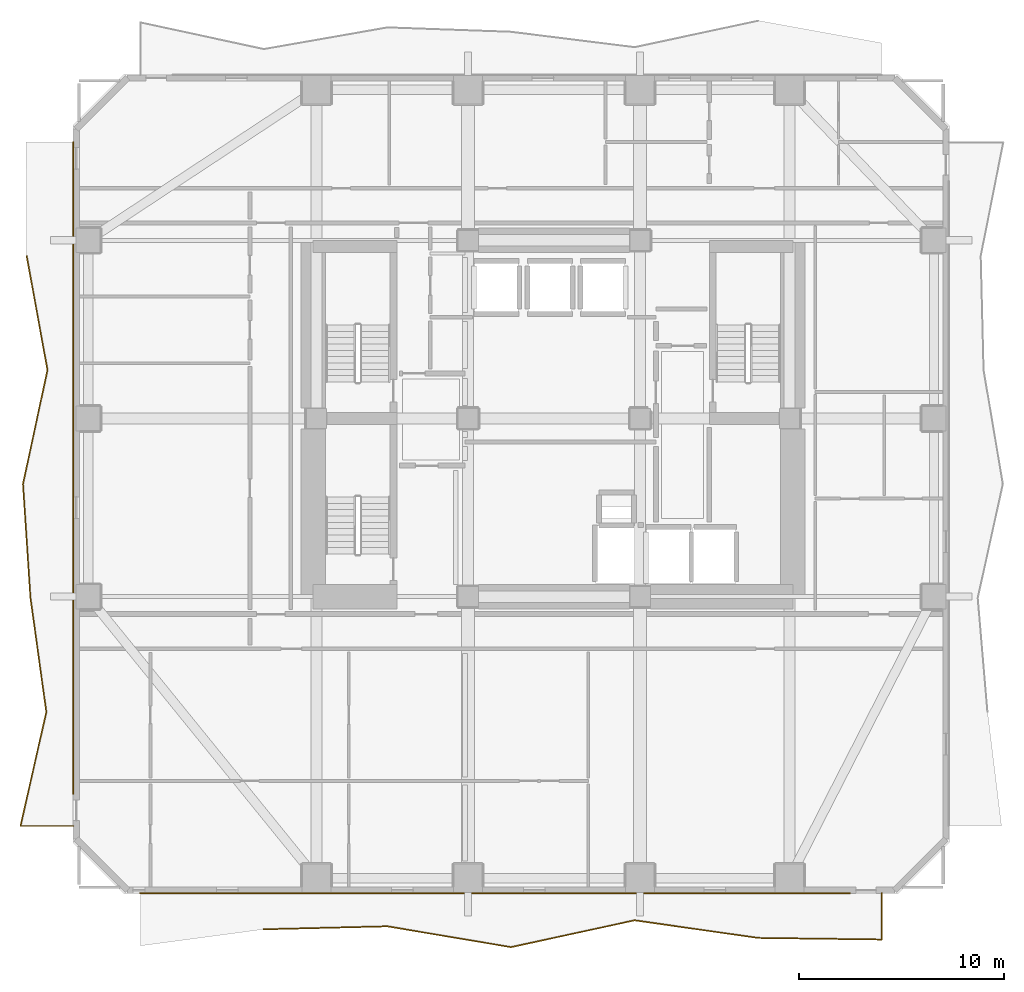
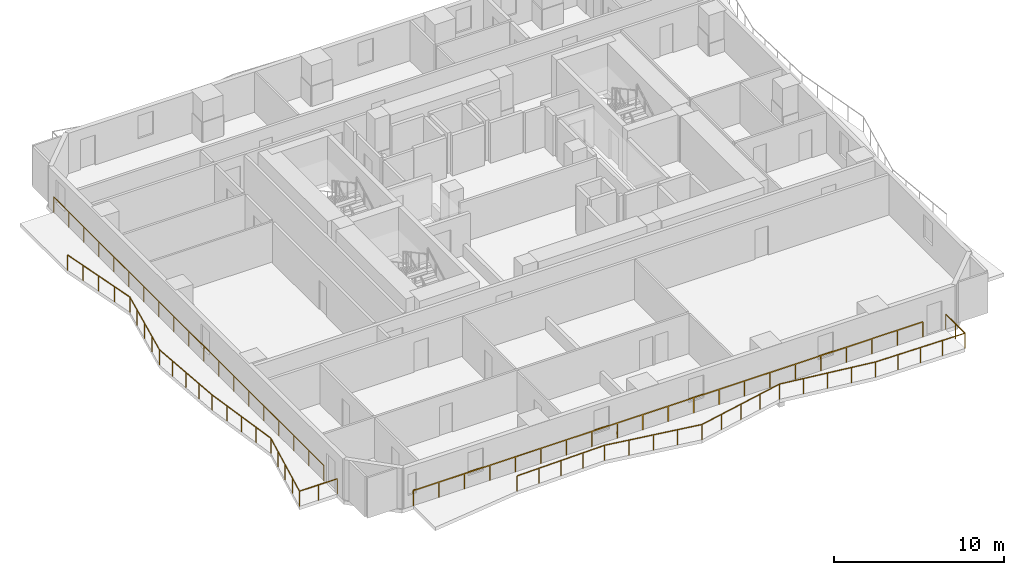
# One storey, part 7 of 10: 4 railings.
"""IFC4 building model written with IfcOpenShell, lengths in metres."""

import ifcopenshell
import ifcopenshell.guid

model = None  # the IFC model being written
_history = None  # IfcOwnerHistory: only IFC2X3 demands one
_inside = {}  # id of a spatial element -> (the spatial element, [elements in it])
_under = {}  # id of a project, library or spatial element -> (it, [spatial elements below it])
_declared = {}  # id of a project -> (the project, [libraries it declares])
_typed = {}  # id of a type object -> (the type object, [elements of that type])
_made_of = {}  # id of a material, layer set ... -> (it, [elements and type objects made of it])


def new_model(schema):
    """Start an empty IFC model of exactly this schema.

    Asked for "IFC4X3", IfcOpenShell would pick the latest addendum, in which some entities
    have other attributes; the version numbers below select the first issue.
    IFC2X3 requires an IfcOwnerHistory on every rooted entity: one is made here for all.
    """
    global model, _history
    if schema == "IFC4X3":
        model = ifcopenshell.file(schema_version=(4, 3, 0, 0))
    else:
        model = ifcopenshell.file(schema=schema)
    _inside.clear()
    _under.clear()
    _declared.clear()
    _typed.clear()
    _made_of.clear()
    _history = None
    if model.schema == "IFC2X3":
        org = make("IfcOrganization", Name="unknown")
        user = make(
            "IfcPersonAndOrganization",
            ThePerson=make("IfcPerson", FamilyName="unknown"),
            TheOrganization=org,
        )
        app = make(
            "IfcApplication",
            ApplicationDeveloper=org,
            Version="unknown",
            ApplicationFullName="unknown",
            ApplicationIdentifier="unknown",
        )
        _history = make(
            "IfcOwnerHistory",
            OwningUser=user,
            OwningApplication=app,
            ChangeAction="ADDED",
            CreationDate=0,
        )
    return model


def make(cls, **values):
    """One entity of the class cls with the attributes given. An attribute that is None is left unset."""
    return model.create_entity(
        cls, **{name: value for name, value in values.items() if value is not None}
    )


def rooted(cls, **values):
    """An entity with a GlobalId (a new one), such as an element, a storey or a relation."""
    return make(cls, GlobalId=ifcopenshell.guid.new(), OwnerHistory=_history, **values)


def si_unit(unit_type, name, prefix=None):
    """IfcSIUnit, for example si_unit("LENGTHUNIT", "METRE", prefix="MILLI")."""
    return make("IfcSIUnit", UnitType=unit_type, Prefix=prefix, Name=name)


def assignment(units):
    """IfcUnitAssignment: the units of a project."""
    return None if units is None else make("IfcUnitAssignment", Units=units)


def point(xyz):
    """IfcCartesianPoint."""
    return None if xyz is None else make("IfcCartesianPoint", Coordinates=xyz)


def direction(xyz):
    """IfcDirection."""
    return None if xyz is None else make("IfcDirection", DirectionRatios=xyz)


def frame(location, z_axis=None, x_axis=None):
    """IfcAxis2Placement3D, a coordinate frame: its origin and axes. An axis left out is left unset."""
    return make(
        "IfcAxis2Placement3D",
        Location=point(location),
        Axis=direction(z_axis),
        RefDirection=direction(x_axis),
    )


def frame_2d(location, x_axis=None):
    """IfcAxis2Placement2D, a coordinate frame in the plane: its origin and x axis."""
    return make(
        "IfcAxis2Placement2D", Location=point(location), RefDirection=direction(x_axis)
    )


def origin():
    """The frame at (0, 0, 0) with its axes left unset."""
    return frame((0.0, 0.0, 0.0))


def origin_2d():
    """The frame at (0, 0) in the plane with its x axis left unset."""
    return frame_2d((0.0, 0.0))


def place(relative_to, where):
    """IfcLocalPlacement: puts the frame where relative to a parent placement (None: the world)."""
    return make(
        "IfcLocalPlacement", PlacementRelTo=relative_to, RelativePlacement=where
    )


def context(
    kind, dimensions, precision=None, world=None, true_north=None, identifier=None
):
    """IfcGeometricRepresentationContext, for example the 3D "Model" context."""
    return make(
        "IfcGeometricRepresentationContext",
        ContextIdentifier=identifier,
        ContextType=kind,
        CoordinateSpaceDimension=dimensions,
        Precision=precision,
        WorldCoordinateSystem=world,
        TrueNorth=true_north,
    )


def subcontext(parent, identifier, kind, view, scale=None):
    """IfcGeometricRepresentationSubContext, for example "Body" below "Model"."""
    return make(
        "IfcGeometricRepresentationSubContext",
        ContextIdentifier=identifier,
        ContextType=kind,
        ParentContext=parent,
        TargetScale=scale,
        TargetView=view,
    )


def project(units=None, contexts=None):
    """IfcProject with its units and contexts."""
    return rooted(
        "IfcProject",
        Name="project",
        RepresentationContexts=contexts,
        UnitsInContext=assignment(units),
    )


def spatial(cls, under=None, at=None, **own):
    """A site, building, storey or space (cls), placed at a placement, below another one or the project."""
    s = rooted(cls, ObjectPlacement=at, **own)
    if under is not None:
        _under.setdefault(under.id(), (under, []))[1].append(s)
    return s


def profile(cls, at=None, kind="AREA", **sizes):
    """A parametric profile (cls). Its sizes go by their IFC names, for example OverallWidth=200.0."""
    return make(cls, ProfileType=kind, Position=at, **sizes)


def rectangle(**sizes):
    """IfcRectangleProfileDef."""
    return profile("IfcRectangleProfileDef", **sizes)


def extrude(swept, where, along, depth):
    """IfcExtrudedAreaSolid: the profile swept, set in the frame where, extruded along a direction by depth."""
    return make(
        "IfcExtrudedAreaSolid",
        SweptArea=swept,
        Position=where,
        ExtrudedDirection=direction(along),
        Depth=depth,
    )


def shape(context_of_items, identifier, shape_type, items):
    """IfcShapeRepresentation: the items that make up one representation, for example the "Body"."""
    return make(
        "IfcShapeRepresentation",
        ContextOfItems=context_of_items,
        RepresentationIdentifier=identifier,
        RepresentationType=shape_type,
        Items=items,
    )


def material(Name=None, Category=None):
    """IfcMaterial."""
    return make("IfcMaterial", Name=Name, Category=Category)


def made_of(thing, what):
    """Note that an element or type object is made of a material, layer set ...; save() writes the relation."""
    if what is not None:
        _made_of.setdefault(what.id(), (what, []))[1].append(thing)
    return thing


def type_object(cls, material=None, **own):
    """A type object (cls), such as IfcWallType, which elements share."""
    return made_of(rooted(cls, **own), material)


def element(
    cls,
    number,
    at=None,
    inside=None,
    cuts=None,
    type_object=None,
    material=None,
    context=None,
    identifier="Body",
    shape_type=None,
    held_by="IfcProductDefinitionShape",
    body=None,
    shapes=None,
    **own,
):
    """One element of the class cls, such as IfcWall. Its Tag is "e" and its number.

    at: its placement. inside: the storey or other place that contains it. cuts: it is an
    opening in that element (IfcRelVoidsElement). A single representation is given by context,
    identifier, shape_type and body (its items); several are given by shapes. held_by: the class
    of the entity that holds the representations. save() writes the other relations.
    """
    e = rooted(cls, Tag="e%d" % number, ObjectPlacement=at, **own)
    if body is not None:
        shapes = [shape(context, identifier, shape_type, body)]
    if shapes is not None:
        e.Representation = make(held_by, Representations=shapes)
    if inside is not None:
        _inside.setdefault(inside.id(), (inside, []))[1].append(e)
    if cuts is not None:
        rooted(
            "IfcRelVoidsElement", RelatingBuildingElement=cuts, RelatedOpeningElement=e
        )
    if type_object is not None:
        _typed.setdefault(type_object.id(), (type_object, []))[1].append(e)
    return made_of(e, material)


def aggregate(whole, parts):
    """IfcRelAggregates: a whole, such as a stair, and the parts it consists of."""
    return rooted("IfcRelAggregates", RelatingObject=whole, RelatedObjects=parts)


def save(model, path):
    """Write the relations noted so far, then the file.

    IfcRelAggregates (storeys below a building ...), IfcRelContainedInSpatialStructure (elements
    in a storey), IfcRelDefinesByType, IfcRelAssociatesMaterial and IfcRelDeclares: one each for
    every whole, place, type object, material and project.
    """
    for whole, parts in _under.values():
        aggregate(whole, parts)
    for where, things in _inside.values():
        rooted(
            "IfcRelContainedInSpatialStructure",
            RelatedElements=things,
            RelatingStructure=where,
        )
    for kind, things in _typed.values():
        rooted("IfcRelDefinesByType", RelatedObjects=things, RelatingType=kind)
    for what, things in _made_of.values():
        rooted("IfcRelAssociatesMaterial", RelatedObjects=things, RelatingMaterial=what)
    for by, libraries in _declared.values():
        rooted("IfcRelDeclares", RelatingContext=by, RelatedDefinitions=libraries)
    model.write(path)


model = new_model("IFC4")

# Units and contexts
model_context = context("Model", 3, precision=1e-05, world=origin(), true_north=direction((0.0, 1.0)))
body_context = subcontext(model_context, "Body", "Model", "MODEL_VIEW")
ifc_project = project(units=[si_unit("LENGTHUNIT", "METRE"), si_unit("AREAUNIT", "SQUARE_METRE"), si_unit("VOLUMEUNIT", "CUBIC_METRE"), si_unit("PLANEANGLEUNIT", "RADIAN"), si_unit("MASSUNIT", "GRAM", prefix="KILO")], contexts=[model_context])

# Site, building, storey
site_placement = place(None, origin())
site = spatial("IfcSite", under=ifc_project, at=site_placement, CompositionType="ELEMENT")
building_placement = place(site_placement, origin())
building = spatial("IfcBuilding", under=site, at=building_placement, Name="Solanera Arch Residences", CompositionType="ELEMENT")
storey_placement = place(building_placement, frame((0.0, 0.0, 38.60009765625)))
storey = spatial("IfcBuildingStorey", under=building, at=storey_placement, Name="L10", CompositionType="ELEMENT", Elevation=38.60009765625)

# Railings
ifc_material = material(Name="Steel S355 (ASTM A992 / A572 Grade 50)", Category="steel")
railing_type = type_object("IfcRailingType", Name="Balustrade Railing BL-1100", PredefinedType="BALUSTRADE", material=ifc_material)
railing_1_placement = place(storey_placement, frame((10.8330078125, 5.7529296875, 0.0)))
element("IfcRailing", 1, at=railing_1_placement, inside=storey, type_object=railing_type, Name="L10 S Balcony Balustrade 1", PredefinedType="BALUSTRADE", context=body_context, shape_type="SweptSolid", body=[
    extrude(rectangle(XDim=0.048095703125, YDim=0.048095703125, at=origin_2d()), frame((0.0, 0.0, 1.09619140625), z_axis=(0.999707409309, 0.024188753015, 0.0), x_axis=(-0.024188753015, 0.999707409309, 0.0)), (0.0, 0.0, 1.0), 6.03564453125),
    extrude(rectangle(XDim=0.048095703125, YDim=0.048095703125, at=origin_2d()), frame((6.033935546875, 0.14599609375, 1.09619140625), z_axis=(0.986091366624, -0.166204141556, 0.0), x_axis=(0.166204141556, 0.986091366624, 0.0)), (0.0, 0.0, 1.0), 6.1181640625),
    extrude(rectangle(XDim=0.048095703125, YDim=0.048095703125, at=origin_2d()), frame((12.06689453125, -0.870849609375, 1.09619140625), z_axis=(0.977194204928, 0.212347559099, 0.0), x_axis=(-0.212347559099, 0.977194204928, 0.0)), (0.0, 0.0, 1.0), 6.174072265625),
    extrude(rectangle(XDim=0.048095703125, YDim=0.048095703125, at=origin_2d()), frame((18.10009765625, 0.440185546875, 1.09619140625), z_axis=(0.989970311755, -0.141275552885, 0.0), x_axis=(0.141275552885, 0.989970311755, 0.0)), (0.0, 0.0, 1.0), 6.094970703125),
    extrude(rectangle(XDim=0.048095703125, YDim=0.048095703125, at=origin_2d()), frame((24.134033203125, -0.4208984375, 1.09619140625), z_axis=(0.999916163198, -0.012948612854, 0.0), x_axis=(0.012948612854, 0.999916163198, 0.0)), (0.0, 0.0, 1.0), 6.033447265625),
    extrude(rectangle(XDim=0.048095703125, YDim=0.048095703125, at=origin_2d()), frame((30.1669921875, -0.4990234375, 1.09619140625), z_axis=(0.0, 1.0, 0.0), x_axis=(-1.0, 0.0, 0.0)), (0.0, 0.0, 1.0), 2.26611328125),
    extrude(rectangle(XDim=0.0419921875, YDim=0.0419921875, at=origin_2d()), origin(), (0.0, 0.0, 1.0), 1.072021484375),
    extrude(rectangle(XDim=0.0419921875, YDim=0.0419921875, at=origin_2d()), frame((1.508544921875, 0.03662109375, 0.0)), (0.0, 0.0, 1.0), 1.072021484375),
    extrude(rectangle(XDim=0.0419921875, YDim=0.0419921875, at=origin_2d()), frame((3.01708984375, 0.072998046875, 0.0)), (0.0, 0.0, 1.0), 1.072021484375),
    extrude(rectangle(XDim=0.0419921875, YDim=0.0419921875, at=origin_2d()), frame((4.525390625, 0.109375, 0.0)), (0.0, 0.0, 1.0), 1.072021484375),
    extrude(rectangle(XDim=0.0419921875, YDim=0.0419921875, at=origin_2d()), frame((6.033935546875, 0.14599609375, 0.0)), (0.0, 0.0, 1.0), 1.072021484375),
    extrude(rectangle(XDim=0.0419921875, YDim=0.0419921875, at=origin_2d()), frame((7.542236328125, -0.108154296875, 0.0)), (0.0, 0.0, 1.0), 1.072021484375),
    extrude(rectangle(XDim=0.0419921875, YDim=0.0419921875, at=origin_2d()), frame((9.05029296875, -0.3623046875, 0.0)), (0.0, 0.0, 1.0), 1.072021484375),
    extrude(rectangle(XDim=0.0419921875, YDim=0.0419921875, at=origin_2d()), frame((10.55859375, -0.61669921875, 0.0)), (0.0, 0.0, 1.0), 1.072021484375),
    extrude(rectangle(XDim=0.0419921875, YDim=0.0419921875, at=origin_2d()), frame((12.06689453125, -0.870849609375, 0.0)), (0.0, 0.0, 1.0), 1.072021484375),
    extrude(rectangle(XDim=0.0419921875, YDim=0.0419921875, at=origin_2d()), frame((13.5751953125, -0.54296875, 0.0)), (0.0, 0.0, 1.0), 1.072021484375),
    extrude(rectangle(XDim=0.0419921875, YDim=0.0419921875, at=origin_2d()), frame((15.08349609375, -0.21533203125, 0.0)), (0.0, 0.0, 1.0), 1.072021484375),
    extrude(rectangle(XDim=0.0419921875, YDim=0.0419921875, at=origin_2d()), frame((16.591796875, 0.1123046875, 0.0)), (0.0, 0.0, 1.0), 1.072021484375),
    extrude(rectangle(XDim=0.0419921875, YDim=0.0419921875, at=origin_2d()), frame((18.10009765625, 0.440185546875, 0.0)), (0.0, 0.0, 1.0), 1.072021484375),
    extrude(rectangle(XDim=0.0419921875, YDim=0.0419921875, at=origin_2d()), frame((19.608642578125, 0.224853515625, 0.0)), (0.0, 0.0, 1.0), 1.072021484375),
    extrude(rectangle(XDim=0.0419921875, YDim=0.0419921875, at=origin_2d()), frame((21.1171875, 0.009765625, 0.0)), (0.0, 0.0, 1.0), 1.072021484375),
    extrude(rectangle(XDim=0.0419921875, YDim=0.0419921875, at=origin_2d()), frame((22.62548828125, -0.20556640625, 0.0)), (0.0, 0.0, 1.0), 1.072021484375),
    extrude(rectangle(XDim=0.0419921875, YDim=0.0419921875, at=origin_2d()), frame((24.134033203125, -0.4208984375, 0.0)), (0.0, 0.0, 1.0), 1.072021484375),
    extrude(rectangle(XDim=0.0419921875, YDim=0.0419921875, at=origin_2d()), frame((25.642333984375, -0.4404296875, 0.0)), (0.0, 0.0, 1.0), 1.072021484375),
    extrude(rectangle(XDim=0.0419921875, YDim=0.0419921875, at=origin_2d()), frame((27.150390625, -0.4599609375, 0.0)), (0.0, 0.0, 1.0), 1.072021484375),
    extrude(rectangle(XDim=0.0419921875, YDim=0.0419921875, at=origin_2d()), frame((28.65869140625, -0.4794921875, 0.0)), (0.0, 0.0, 1.0), 1.072021484375),
    extrude(rectangle(XDim=0.0419921875, YDim=0.0419921875, at=origin_2d()), frame((30.1669921875, -0.4990234375, 0.0)), (0.0, 0.0, 1.0), 1.072021484375),
    extrude(rectangle(XDim=0.0419921875, YDim=0.0419921875, at=origin_2d()), frame((30.1669921875, 0.634033203125, 0.0)), (0.0, 0.0, 1.0), 1.072021484375),
    extrude(rectangle(XDim=0.0419921875, YDim=0.0419921875, at=origin_2d()), frame((30.1669921875, 1.76708984375, 0.0)), (0.0, 0.0, 1.0), 1.072021484375),
])
railing_2_placement = place(storey_placement, frame((39.43408203125, 7.52001953125, 0.0)))
element("IfcRailing", 2, at=railing_2_placement, inside=storey, type_object=railing_type, Name="L10 S Balcony Balustrade 2", PredefinedType="BALUSTRADE", context=body_context, shape_type="SweptSolid", body=[
    extrude(rectangle(XDim=0.048095703125, YDim=0.048095703125, at=origin_2d()), frame((0.0, 0.0, 1.09619140625), z_axis=(-1.0, 0.0, 0.0), x_axis=(0.0, -1.0, 0.0)), (0.0, 0.0, 1.0), 34.634033203125),
    extrude(rectangle(XDim=0.0419921875, YDim=0.0419921875, at=origin_2d()), origin(), (0.0, 0.0, 1.0), 1.072021484375),
    extrude(rectangle(XDim=0.0419921875, YDim=0.0419921875, at=origin_2d()), frame((-1.731689453125, 0.0, 0.0)), (0.0, 0.0, 1.0), 1.072021484375),
    extrude(rectangle(XDim=0.0419921875, YDim=0.0419921875, at=origin_2d()), frame((-3.46337890625, 0.0, 0.0)), (0.0, 0.0, 1.0), 1.072021484375),
    extrude(rectangle(XDim=0.0419921875, YDim=0.0419921875, at=origin_2d()), frame((-5.195068359375, 0.0, 0.0)), (0.0, 0.0, 1.0), 1.072021484375),
    extrude(rectangle(XDim=0.0419921875, YDim=0.0419921875, at=origin_2d()), frame((-6.9267578125, 0.0, 0.0)), (0.0, 0.0, 1.0), 1.072021484375),
    extrude(rectangle(XDim=0.0419921875, YDim=0.0419921875, at=origin_2d()), frame((-8.658447265625, 0.0, 0.0)), (0.0, 0.0, 1.0), 1.072021484375),
    extrude(rectangle(XDim=0.0419921875, YDim=0.0419921875, at=origin_2d()), frame((-10.39013671875, 0.0, 0.0)), (0.0, 0.0, 1.0), 1.072021484375),
    extrude(rectangle(XDim=0.0419921875, YDim=0.0419921875, at=origin_2d()), frame((-12.121826171875, 0.0, 0.0)), (0.0, 0.0, 1.0), 1.072021484375),
    extrude(rectangle(XDim=0.0419921875, YDim=0.0419921875, at=origin_2d()), frame((-13.853515625, 0.0, 0.0)), (0.0, 0.0, 1.0), 1.072021484375),
    extrude(rectangle(XDim=0.0419921875, YDim=0.0419921875, at=origin_2d()), frame((-15.585205078125, 0.0, 0.0)), (0.0, 0.0, 1.0), 1.072021484375),
    extrude(rectangle(XDim=0.0419921875, YDim=0.0419921875, at=origin_2d()), frame((-17.31689453125, 0.0, 0.0)), (0.0, 0.0, 1.0), 1.072021484375),
    extrude(rectangle(XDim=0.0419921875, YDim=0.0419921875, at=origin_2d()), frame((-19.048828125, 0.0, 0.0)), (0.0, 0.0, 1.0), 1.072021484375),
    extrude(rectangle(XDim=0.0419921875, YDim=0.0419921875, at=origin_2d()), frame((-20.780517578125, 0.0, 0.0)), (0.0, 0.0, 1.0), 1.072021484375),
    extrude(rectangle(XDim=0.0419921875, YDim=0.0419921875, at=origin_2d()), frame((-22.51220703125, 0.0, 0.0)), (0.0, 0.0, 1.0), 1.072021484375),
    extrude(rectangle(XDim=0.0419921875, YDim=0.0419921875, at=origin_2d()), frame((-24.243896484375, 0.0, 0.0)), (0.0, 0.0, 1.0), 1.072021484375),
    extrude(rectangle(XDim=0.0419921875, YDim=0.0419921875, at=origin_2d()), frame((-25.9755859375, 0.0, 0.0)), (0.0, 0.0, 1.0), 1.072021484375),
    extrude(rectangle(XDim=0.0419921875, YDim=0.0419921875, at=origin_2d()), frame((-27.707275390625, 0.0, 0.0)), (0.0, 0.0, 1.0), 1.072021484375),
    extrude(rectangle(XDim=0.0419921875, YDim=0.0419921875, at=origin_2d()), frame((-29.43896484375, 0.0, 0.0)), (0.0, 0.0, 1.0), 1.072021484375),
    extrude(rectangle(XDim=0.0419921875, YDim=0.0419921875, at=origin_2d()), frame((-31.170654296875, 0.0, 0.0)), (0.0, 0.0, 1.0), 1.072021484375),
    extrude(rectangle(XDim=0.0419921875, YDim=0.0419921875, at=origin_2d()), frame((-32.90234375, 0.0, 0.0)), (0.0, 0.0, 1.0), 1.072021484375),
    extrude(rectangle(XDim=0.0419921875, YDim=0.0419921875, at=origin_2d()), frame((-34.634033203125, 0.0, 0.0)), (0.0, 0.0, 1.0), 1.072021484375),
])
railing_3_placement = place(storey_placement, frame((-0.75390625, 38.633056640625, 0.0)))
element("IfcRailing", 3, at=railing_3_placement, inside=storey, type_object=railing_type, Name="L10 W Balcony Balustrade 1", PredefinedType="BALUSTRADE", context=body_context, shape_type="SweptSolid", body=[
    extrude(rectangle(XDim=0.048095703125, YDim=0.048095703125, at=origin_2d()), frame((0.0, 0.0, 1.09619140625), z_axis=(0.179375256759, -0.98378072621, 0.0), x_axis=(0.98378072621, 0.179375256759, 0.0)), (0.0, 0.0, 1.0), 5.657958984375),
    extrude(rectangle(XDim=0.048095703125, YDim=0.048095703125, at=origin_2d()), frame((1.014892578125, -5.566162109375, 1.09619140625), z_axis=(-0.210056135954, -0.977689326805, 0.0), x_axis=(0.977689326805, -0.210056135954, 0.0)), (0.0, 0.0, 1.0), 5.69384765625),
    extrude(rectangle(XDim=0.048095703125, YDim=0.048095703125, at=origin_2d()), frame((-0.18115234375, -11.133056640625, 1.09619140625), z_axis=(0.065598251317, -0.997846115102, 0.0), x_axis=(0.997846115102, 0.065598251317, 0.0)), (0.0, 0.0, 1.0), 5.578857421875),
    extrude(rectangle(XDim=0.048095703125, YDim=0.048095703125, at=origin_2d()), frame((0.184814453125, -16.699951171875, 1.09619140625), z_axis=(0.137758980288, -0.990465781009, 0.0), x_axis=(0.990465781009, 0.137758980288, 0.0)), (0.0, 0.0, 1.0), 5.61962890625),
    extrude(rectangle(XDim=0.048095703125, YDim=0.048095703125, at=origin_2d()), frame((0.958984375, -22.26611328125, 1.09619140625), z_axis=(-0.220755791471, -0.975329113957, 0.0), x_axis=(0.975329113957, -0.220755791471, 0.0)), (0.0, 0.0, 1.0), 5.707763671875),
    extrude(rectangle(XDim=0.048095703125, YDim=0.048095703125, at=origin_2d()), frame((-0.301025390625, -27.8330078125, 1.09619140625), z_axis=(1.0, 0.0, 0.0), x_axis=(0.0, 1.0, 0.0)), (0.0, 0.0, 1.0), 2.574951171875),
    extrude(rectangle(XDim=0.0419921875, YDim=0.0419921875, at=origin_2d()), origin(), (0.0, 0.0, 1.0), 1.072021484375),
    extrude(rectangle(XDim=0.0419921875, YDim=0.0419921875, at=origin_2d()), frame((0.253662109375, -1.3916015625, 0.0)), (0.0, 0.0, 1.0), 1.072021484375),
    extrude(rectangle(XDim=0.0419921875, YDim=0.0419921875, at=origin_2d()), frame((0.50732421875, -2.783203125, 0.0)), (0.0, 0.0, 1.0), 1.072021484375),
    extrude(rectangle(XDim=0.0419921875, YDim=0.0419921875, at=origin_2d()), frame((0.76123046875, -4.174560546875, 0.0)), (0.0, 0.0, 1.0), 1.072021484375),
    extrude(rectangle(XDim=0.0419921875, YDim=0.0419921875, at=origin_2d()), frame((1.014892578125, -5.566162109375, 0.0)), (0.0, 0.0, 1.0), 1.072021484375),
    extrude(rectangle(XDim=0.0419921875, YDim=0.0419921875, at=origin_2d()), frame((0.7158203125, -6.9580078125, 0.0)), (0.0, 0.0, 1.0), 1.072021484375),
    extrude(rectangle(XDim=0.0419921875, YDim=0.0419921875, at=origin_2d()), frame((0.4169921875, -8.349609375, 0.0)), (0.0, 0.0, 1.0), 1.072021484375),
    extrude(rectangle(XDim=0.0419921875, YDim=0.0419921875, at=origin_2d()), frame((0.117919921875, -9.7412109375, 0.0)), (0.0, 0.0, 1.0), 1.072021484375),
    extrude(rectangle(XDim=0.0419921875, YDim=0.0419921875, at=origin_2d()), frame((-0.18115234375, -11.133056640625, 0.0)), (0.0, 0.0, 1.0), 1.072021484375),
    extrude(rectangle(XDim=0.0419921875, YDim=0.0419921875, at=origin_2d()), frame((-0.089599609375, -12.52490234375, 0.0)), (0.0, 0.0, 1.0), 1.072021484375),
    extrude(rectangle(XDim=0.0419921875, YDim=0.0419921875, at=origin_2d()), frame((0.001953125, -13.91650390625, 0.0)), (0.0, 0.0, 1.0), 1.072021484375),
    extrude(rectangle(XDim=0.0419921875, YDim=0.0419921875, at=origin_2d()), frame((0.09326171875, -15.30810546875, 0.0)), (0.0, 0.0, 1.0), 1.072021484375),
    extrude(rectangle(XDim=0.0419921875, YDim=0.0419921875, at=origin_2d()), frame((0.184814453125, -16.699951171875, 0.0)), (0.0, 0.0, 1.0), 1.072021484375),
    extrude(rectangle(XDim=0.0419921875, YDim=0.0419921875, at=origin_2d()), frame((0.37841796875, -18.091552734375, 0.0)), (0.0, 0.0, 1.0), 1.072021484375),
    extrude(rectangle(XDim=0.0419921875, YDim=0.0419921875, at=origin_2d()), frame((0.57177734375, -19.48291015625, 0.0)), (0.0, 0.0, 1.0), 1.072021484375),
    extrude(rectangle(XDim=0.0419921875, YDim=0.0419921875, at=origin_2d()), frame((0.765380859375, -20.87451171875, 0.0)), (0.0, 0.0, 1.0), 1.072021484375),
    extrude(rectangle(XDim=0.0419921875, YDim=0.0419921875, at=origin_2d()), frame((0.958984375, -22.26611328125, 0.0)), (0.0, 0.0, 1.0), 1.072021484375),
    extrude(rectangle(XDim=0.0419921875, YDim=0.0419921875, at=origin_2d()), frame((0.64404296875, -23.65771484375, 0.0)), (0.0, 0.0, 1.0), 1.072021484375),
    extrude(rectangle(XDim=0.0419921875, YDim=0.0419921875, at=origin_2d()), frame((0.3291015625, -25.049560546875, 0.0)), (0.0, 0.0, 1.0), 1.072021484375),
    extrude(rectangle(XDim=0.0419921875, YDim=0.0419921875, at=origin_2d()), frame((0.013916015625, -26.44140625, 0.0)), (0.0, 0.0, 1.0), 1.072021484375),
    extrude(rectangle(XDim=0.0419921875, YDim=0.0419921875, at=origin_2d()), frame((-0.301025390625, -27.8330078125, 0.0)), (0.0, 0.0, 1.0), 1.072021484375),
    extrude(rectangle(XDim=0.0419921875, YDim=0.0419921875, at=origin_2d()), frame((0.986328125, -27.8330078125, 0.0)), (0.0, 0.0, 1.0), 1.072021484375),
    extrude(rectangle(XDim=0.0419921875, YDim=0.0419921875, at=origin_2d()), frame((2.27392578125, -27.8330078125, 0.0)), (0.0, 0.0, 1.0), 1.072021484375),
])
railing_4_placement = place(storey_placement, frame((1.52001953125, 12.365966796875, 0.0)))
element("IfcRailing", 4, at=railing_4_placement, inside=storey, type_object=railing_type, Name="L10 W Balcony Balustrade 2", PredefinedType="BALUSTRADE", context=body_context, shape_type="SweptSolid", body=[
    extrude(rectangle(XDim=0.048095703125, YDim=0.048095703125, at=origin_2d()), frame((0.0, 0.0, 1.09619140625), z_axis=(0.0, 1.0, 0.0), x_axis=(-1.0, 0.0, 0.0)), (0.0, 0.0, 1.0), 31.833984375),
    extrude(rectangle(XDim=0.0419921875, YDim=0.0419921875, at=origin_2d()), origin(), (0.0, 0.0, 1.0), 1.072021484375),
    extrude(rectangle(XDim=0.0419921875, YDim=0.0419921875, at=origin_2d()), frame((0.0, 1.7685546875, 0.0)), (0.0, 0.0, 1.0), 1.072021484375),
    extrude(rectangle(XDim=0.0419921875, YDim=0.0419921875, at=origin_2d()), frame((0.0, 3.537109375, 0.0)), (0.0, 0.0, 1.0), 1.072021484375),
    extrude(rectangle(XDim=0.0419921875, YDim=0.0419921875, at=origin_2d()), frame((0.0, 5.3056640625, 0.0)), (0.0, 0.0, 1.0), 1.072021484375),
    extrude(rectangle(XDim=0.0419921875, YDim=0.0419921875, at=origin_2d()), frame((0.0, 7.07421875, 0.0)), (0.0, 0.0, 1.0), 1.072021484375),
    extrude(rectangle(XDim=0.0419921875, YDim=0.0419921875, at=origin_2d()), frame((0.0, 8.8427734375, 0.0)), (0.0, 0.0, 1.0), 1.072021484375),
    extrude(rectangle(XDim=0.0419921875, YDim=0.0419921875, at=origin_2d()), frame((0.0, 10.611328125, 0.0)), (0.0, 0.0, 1.0), 1.072021484375),
    extrude(rectangle(XDim=0.0419921875, YDim=0.0419921875, at=origin_2d()), frame((0.0, 12.3798828125, 0.0)), (0.0, 0.0, 1.0), 1.072021484375),
    extrude(rectangle(XDim=0.0419921875, YDim=0.0419921875, at=origin_2d()), frame((0.0, 14.1484375, 0.0)), (0.0, 0.0, 1.0), 1.072021484375),
    extrude(rectangle(XDim=0.0419921875, YDim=0.0419921875, at=origin_2d()), frame((0.0, 15.9169921875, 0.0)), (0.0, 0.0, 1.0), 1.072021484375),
    extrude(rectangle(XDim=0.0419921875, YDim=0.0419921875, at=origin_2d()), frame((0.0, 17.685546875, 0.0)), (0.0, 0.0, 1.0), 1.072021484375),
    extrude(rectangle(XDim=0.0419921875, YDim=0.0419921875, at=origin_2d()), frame((0.0, 19.4541015625, 0.0)), (0.0, 0.0, 1.0), 1.072021484375),
    extrude(rectangle(XDim=0.0419921875, YDim=0.0419921875, at=origin_2d()), frame((0.0, 21.22265625, 0.0)), (0.0, 0.0, 1.0), 1.072021484375),
    extrude(rectangle(XDim=0.0419921875, YDim=0.0419921875, at=origin_2d()), frame((0.0, 22.9912109375, 0.0)), (0.0, 0.0, 1.0), 1.072021484375),
    extrude(rectangle(XDim=0.0419921875, YDim=0.0419921875, at=origin_2d()), frame((0.0, 24.759765625, 0.0)), (0.0, 0.0, 1.0), 1.072021484375),
    extrude(rectangle(XDim=0.0419921875, YDim=0.0419921875, at=origin_2d()), frame((0.0, 26.5283203125, 0.0)), (0.0, 0.0, 1.0), 1.072021484375),
    extrude(rectangle(XDim=0.0419921875, YDim=0.0419921875, at=origin_2d()), frame((0.0, 28.296875, 0.0)), (0.0, 0.0, 1.0), 1.072021484375),
    extrude(rectangle(XDim=0.0419921875, YDim=0.0419921875, at=origin_2d()), frame((0.0, 30.0654296875, 0.0)), (0.0, 0.0, 1.0), 1.072021484375),
    extrude(rectangle(XDim=0.0419921875, YDim=0.0419921875, at=origin_2d()), frame((0.0, 31.833984375, 0.0)), (0.0, 0.0, 1.0), 1.072021484375),
])

save(model, "model.ifc")
